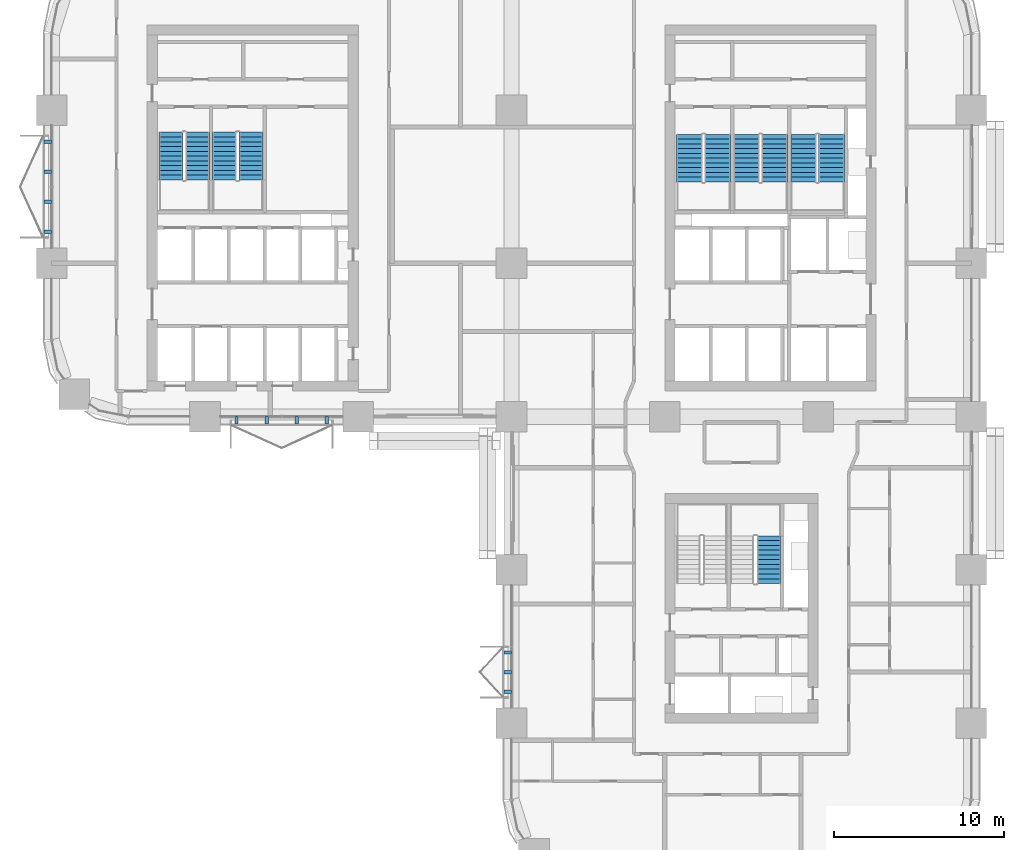
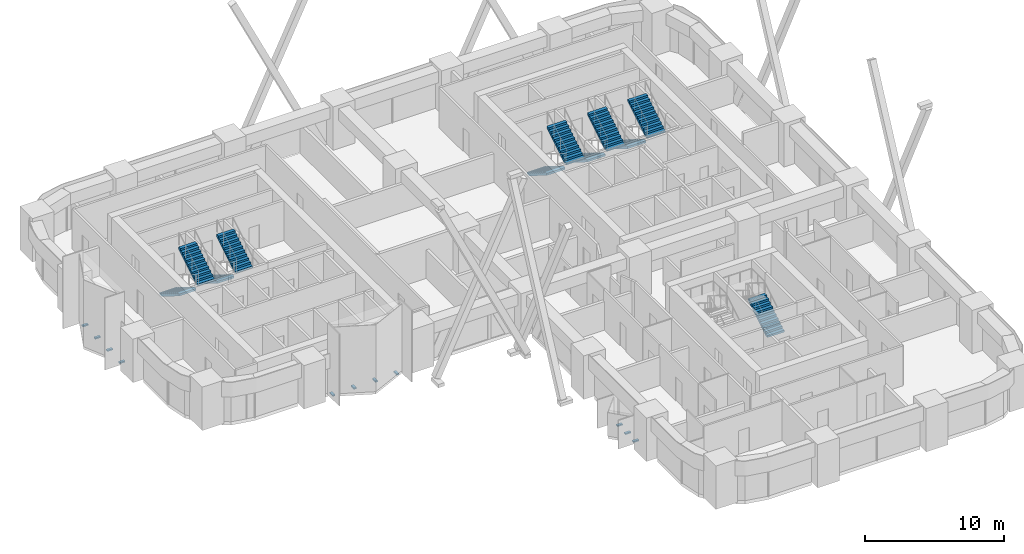
# One storey, part 17 of 19: 11 discrete accessories, 11 stair flights, 6 elements without a shape of their own.
"""IFC4 building model written with IfcOpenShell, lengths in metres."""

from ifc_helpers import new_model, si_unit, direction, frame, origin, origin_2d, place, context, subcontext, project, spatial, polyline, rectangle, outline, extrude, material, type_object, element, aggregate, save


model = new_model("IFC4")

# Units and contexts
model_context = context("Model", 3, precision=1e-05, world=origin(), true_north=direction((0.0, 1.0)))
body_context = subcontext(model_context, "Body", "Model", "MODEL_VIEW")
ifc_project = project(units=[si_unit("LENGTHUNIT", "METRE"), si_unit("AREAUNIT", "SQUARE_METRE"), si_unit("VOLUMEUNIT", "CUBIC_METRE"), si_unit("PLANEANGLEUNIT", "RADIAN"), si_unit("MASSUNIT", "GRAM", prefix="KILO")], contexts=[model_context])

# Site, building, storey
site_placement = place(None, origin())
site = spatial("IfcSite", under=ifc_project, at=site_placement, CompositionType="ELEMENT")
building_placement = place(site_placement, origin())
building = spatial("IfcBuilding", under=site, at=building_placement, Name="Tessera Arch", CompositionType="ELEMENT")
storey_placement = place(building_placement, frame((0.0, 0.0, 108.199951171875)))
storey = spatial("IfcBuildingStorey", under=building, at=storey_placement, Name="L25", CompositionType="ELEMENT", Elevation=108.199951171875)

# Stair, stair flights
ifc_material_1 = material(Name="Concrete C40/50", Category="concrete")
stair_type_1 = type_object("IfcStairType", Name="Dogleg stair 1400", PredefinedType="HALF_TURN_STAIR", material=ifc_material_1)
stair_1_placement = place(storey_placement, origin())
stair_1 = element("IfcStair", 1, at=stair_1_placement, inside=storey, type_object=stair_type_1, Name="L25 S2a", PredefinedType="HALF_TURN_STAIR")
ifc_material_2 = material(Name="Concrete C40/50", Category="concrete")
stair_flight_type_1 = type_object("IfcStairFlightType", Name="Stair flight 1400", PredefinedType="STRAIGHT", material=ifc_material_2)
stair_flight_1_placement = place(storey_placement, frame((7.0, 43.699951171875, 0.0), z_axis=(0.0, 0.0, 1.0), x_axis=(0.0, -1.0, 0.0)))
stair_flight_1 = element("IfcStairFlight", 2, at=stair_flight_1_placement, type_object=stair_flight_type_1, Name="S2a flight 1", NumberOfRisers=11, NumberOfTreads=10, PredefinedType="STRAIGHT", RiserHeight=0.172727273, TreadLength=0.28, context=body_context, shape_type="SweptSolid", body=[
    extrude(outline(polyline([(0.0, 0.0), (0.0, 0.172607421875), (0.280029296875, 0.172607421875), (0.280029296875, 0.345458984375), (0.56005859375, 0.345458984375), (0.56005859375, 0.51806640625), (0.840087890625, 0.51806640625), (0.840087890625, 0.69091796875), (1.1201171875, 0.69091796875), (1.1201171875, 0.863525390625), (1.39990234375, 0.863525390625), (1.39990234375, 1.036376953125), (1.679931640625, 1.036376953125), (1.679931640625, 1.208984375), (1.9599609375, 1.208984375), (1.9599609375, 1.3818359375), (2.239990234375, 1.3818359375), (2.239990234375, 1.554443359375), (2.52001953125, 1.554443359375), (2.52001953125, 1.727294921875), (2.800048828125, 1.727294921875), (2.800048828125, 1.89990234375), (2.800048828125, 1.551025390625), (0.285400390625, 0.0), (0.0, 0.0)])), frame((0.0, 0.699951171875, 0.0), z_axis=(0.0, -1.0, 0.0), x_axis=(1.0, 0.0, 0.0)), (0.0, 0.0, 1.0), 1.39990234375),
])
stair_flight_2_placement = place(storey_placement, frame((8.550048828125, 40.89990234375, 1.900146484375), z_axis=(0.0, 0.0, 1.0), x_axis=(0.0, 1.0, 0.0)))
stair_flight_2 = element("IfcStairFlight", 3, at=stair_flight_2_placement, type_object=stair_flight_type_1, Name="S2a flight 2", NumberOfRisers=11, NumberOfTreads=10, PredefinedType="STRAIGHT", RiserHeight=0.172727273, TreadLength=0.28, context=body_context, shape_type="SweptSolid", body=[
    extrude(outline(polyline([(0.0, 0.0), (0.0, 0.172607421875), (0.280029296875, 0.172607421875), (0.280029296875, 0.345458984375), (0.56005859375, 0.345458984375), (0.56005859375, 0.51806640625), (0.840087890625, 0.51806640625), (0.840087890625, 0.69091796875), (1.1201171875, 0.69091796875), (1.1201171875, 0.863525390625), (1.39990234375, 0.863525390625), (1.39990234375, 1.036376953125), (1.679931640625, 1.036376953125), (1.679931640625, 1.208984375), (1.9599609375, 1.208984375), (1.9599609375, 1.3818359375), (2.239990234375, 1.3818359375), (2.239990234375, 1.554443359375), (2.52001953125, 1.554443359375), (2.52001953125, 1.727294921875), (2.800048828125, 1.727294921875), (2.800048828125, 1.89990234375), (2.800048828125, 1.551025390625), (0.285400390625, 0.0), (0.0, 0.0)])), frame((0.0, 0.699951171875, 0.0), z_axis=(0.0, -1.0, 0.0), x_axis=(1.0, 0.0, 0.0)), (0.0, 0.0, 1.0), 1.39990234375),
])
aggregate(stair_1, [stair_flight_1, stair_flight_2])

stair_2_placement = place(storey_placement, origin())
stair_2 = element("IfcStair", 4, at=stair_2_placement, inside=storey, type_object=stair_type_1, Name="L25 S2b", PredefinedType="HALF_TURN_STAIR")
stair_flight_3_placement = place(storey_placement, frame((10.14990234375, 43.699951171875, 0.0), z_axis=(0.0, 0.0, 1.0), x_axis=(0.0, -1.0, 0.0)))
stair_flight_3 = element("IfcStairFlight", 5, at=stair_flight_3_placement, type_object=stair_flight_type_1, Name="S2b flight 1", NumberOfRisers=11, NumberOfTreads=10, PredefinedType="STRAIGHT", RiserHeight=0.172727273, TreadLength=0.28, context=body_context, shape_type="SweptSolid", body=[
    extrude(outline(polyline([(0.0, 0.0), (0.0, 0.172607421875), (0.280029296875, 0.172607421875), (0.280029296875, 0.345458984375), (0.56005859375, 0.345458984375), (0.56005859375, 0.51806640625), (0.840087890625, 0.51806640625), (0.840087890625, 0.69091796875), (1.1201171875, 0.69091796875), (1.1201171875, 0.863525390625), (1.39990234375, 0.863525390625), (1.39990234375, 1.036376953125), (1.679931640625, 1.036376953125), (1.679931640625, 1.208984375), (1.9599609375, 1.208984375), (1.9599609375, 1.3818359375), (2.239990234375, 1.3818359375), (2.239990234375, 1.554443359375), (2.52001953125, 1.554443359375), (2.52001953125, 1.727294921875), (2.800048828125, 1.727294921875), (2.800048828125, 1.89990234375), (2.800048828125, 1.551025390625), (0.285400390625, 0.0), (0.0, 0.0)])), frame((0.0, 0.699951171875, 0.0), z_axis=(0.0, -1.0, 0.0), x_axis=(1.0, 0.0, 0.0)), (0.0, 0.0, 1.0), 1.39990234375),
])
stair_flight_4_placement = place(storey_placement, frame((11.699951171875, 40.89990234375, 1.900146484375), z_axis=(0.0, 0.0, 1.0), x_axis=(0.0, 1.0, 0.0)))
stair_flight_4 = element("IfcStairFlight", 6, at=stair_flight_4_placement, type_object=stair_flight_type_1, Name="S2b flight 2", NumberOfRisers=11, NumberOfTreads=10, PredefinedType="STRAIGHT", RiserHeight=0.172727273, TreadLength=0.28, context=body_context, shape_type="SweptSolid", body=[
    extrude(outline(polyline([(0.0, 0.0), (0.0, 0.172607421875), (0.280029296875, 0.172607421875), (0.280029296875, 0.345458984375), (0.56005859375, 0.345458984375), (0.56005859375, 0.51806640625), (0.840087890625, 0.51806640625), (0.840087890625, 0.69091796875), (1.1201171875, 0.69091796875), (1.1201171875, 0.863525390625), (1.39990234375, 0.863525390625), (1.39990234375, 1.036376953125), (1.679931640625, 1.036376953125), (1.679931640625, 1.208984375), (1.9599609375, 1.208984375), (1.9599609375, 1.3818359375), (2.239990234375, 1.3818359375), (2.239990234375, 1.554443359375), (2.52001953125, 1.554443359375), (2.52001953125, 1.727294921875), (2.800048828125, 1.727294921875), (2.800048828125, 1.89990234375), (2.800048828125, 1.551025390625), (0.285400390625, 0.0), (0.0, 0.0)])), frame((0.0, 0.699951171875, 0.0), z_axis=(0.0, -1.0, 0.0), x_axis=(1.0, 0.0, 0.0)), (0.0, 0.0, 1.0), 1.39990234375),
])
aggregate(stair_2, [stair_flight_3, stair_flight_4])

# Stair, stair flight
stair_3_placement = place(storey_placement, origin())
stair_3 = element("IfcStair", 7, at=stair_3_placement, inside=storey, type_object=stair_type_1, Name="L25 S3b", PredefinedType="HALF_TURN_STAIR")
stair_flight_5_placement = place(storey_placement, frame((42.10009765625, 17.199951171875, 0.0), z_axis=(0.0, 0.0, 1.0), x_axis=(0.0, 1.0, 0.0)))
stair_flight_5 = element("IfcStairFlight", 8, at=stair_flight_5_placement, type_object=stair_flight_type_1, Name="S3b flight 1", NumberOfRisers=11, NumberOfTreads=10, PredefinedType="STRAIGHT", RiserHeight=0.172727273, TreadLength=0.28, context=body_context, shape_type="SweptSolid", body=[
    extrude(outline(polyline([(0.0, 0.0), (0.0, 0.172607421875), (0.280029296875, 0.172607421875), (0.280029296875, 0.345458984375), (0.56005859375, 0.345458984375), (0.56005859375, 0.51806640625), (0.840087890625, 0.51806640625), (0.840087890625, 0.69091796875), (1.1201171875, 0.69091796875), (1.1201171875, 0.863525390625), (1.39990234375, 0.863525390625), (1.39990234375, 1.036376953125), (1.679931640625, 1.036376953125), (1.679931640625, 1.208984375), (1.9599609375, 1.208984375), (1.9599609375, 1.3818359375), (2.239990234375, 1.3818359375), (2.239990234375, 1.554443359375), (2.52001953125, 1.554443359375), (2.52001953125, 1.727294921875), (2.800048828125, 1.727294921875), (2.800048828125, 1.89990234375), (2.800048828125, 1.551025390625), (0.285400390625, 0.0), (0.0, 0.0)])), frame((0.0, 0.699951171875, 0.0), z_axis=(0.0, -1.0, 0.0), x_axis=(1.0, 0.0, 0.0)), (0.0, 0.0, 1.0), 1.39990234375),
])
aggregate(stair_3, [stair_flight_5])

# Stair, stair flights
ifc_material_3 = material(Name="Concrete C40/50", Category="concrete")
stair_type_2 = type_object("IfcStairType", Name="Dogleg stair 1520", PredefinedType="HALF_TURN_STAIR", material=ifc_material_3)
stair_4_placement = place(storey_placement, origin())
stair_4 = element("IfcStair", 9, at=stair_4_placement, inside=storey, type_object=stair_type_2, Name="L25 S1a", PredefinedType="HALF_TURN_STAIR")
ifc_material_4 = material(Name="Concrete C40/50", Category="concrete")
stair_flight_type_2 = type_object("IfcStairFlightType", Name="Stair flight 1520", PredefinedType="STRAIGHT", material=ifc_material_4)
stair_flight_6_placement = place(storey_placement, frame((37.4599609375, 43.580078125, 0.0), z_axis=(0.0, 0.0, 1.0), x_axis=(0.0, -1.0, 0.0)))
stair_flight_6 = element("IfcStairFlight", 10, at=stair_flight_6_placement, type_object=stair_flight_type_2, Name="S1a flight 1", NumberOfRisers=11, NumberOfTreads=10, PredefinedType="STRAIGHT", RiserHeight=0.172727273, TreadLength=0.28, context=body_context, shape_type="SweptSolid", body=[
    extrude(outline(polyline([(0.0, 0.0), (0.0, 0.172607421875), (0.280029296875, 0.172607421875), (0.280029296875, 0.345458984375), (0.56005859375, 0.345458984375), (0.56005859375, 0.51806640625), (0.840087890625, 0.51806640625), (0.840087890625, 0.69091796875), (1.1201171875, 0.69091796875), (1.1201171875, 0.863525390625), (1.39990234375, 0.863525390625), (1.39990234375, 1.036376953125), (1.679931640625, 1.036376953125), (1.679931640625, 1.208984375), (1.9599609375, 1.208984375), (1.9599609375, 1.3818359375), (2.239990234375, 1.3818359375), (2.239990234375, 1.554443359375), (2.52001953125, 1.554443359375), (2.52001953125, 1.727294921875), (2.800048828125, 1.727294921875), (2.800048828125, 1.89990234375), (2.800048828125, 1.551025390625), (0.285400390625, 0.0), (0.0, 0.0)])), frame((0.0, 0.760009765625, 0.0), z_axis=(0.0, -1.0, 0.0), x_axis=(1.0, 0.0, 0.0)), (0.0, 0.0, 1.0), 1.52001953125),
])
stair_flight_7_placement = place(storey_placement, frame((39.090087890625, 40.780029296875, 1.900146484375), z_axis=(0.0, 0.0, 1.0), x_axis=(0.0, 1.0, 0.0)))
stair_flight_7 = element("IfcStairFlight", 11, at=stair_flight_7_placement, type_object=stair_flight_type_2, Name="S1a flight 2", NumberOfRisers=11, NumberOfTreads=10, PredefinedType="STRAIGHT", RiserHeight=0.172727273, TreadLength=0.28, context=body_context, shape_type="SweptSolid", body=[
    extrude(outline(polyline([(0.0, 0.0), (0.0, 0.172607421875), (0.280029296875, 0.172607421875), (0.280029296875, 0.345458984375), (0.56005859375, 0.345458984375), (0.56005859375, 0.51806640625), (0.840087890625, 0.51806640625), (0.840087890625, 0.69091796875), (1.1201171875, 0.69091796875), (1.1201171875, 0.863525390625), (1.39990234375, 0.863525390625), (1.39990234375, 1.036376953125), (1.679931640625, 1.036376953125), (1.679931640625, 1.208984375), (1.9599609375, 1.208984375), (1.9599609375, 1.3818359375), (2.239990234375, 1.3818359375), (2.239990234375, 1.554443359375), (2.52001953125, 1.554443359375), (2.52001953125, 1.727294921875), (2.800048828125, 1.727294921875), (2.800048828125, 1.89990234375), (2.800048828125, 1.551025390625), (0.285400390625, 0.0), (0.0, 0.0)])), frame((0.0, 0.760009765625, 0.0), z_axis=(0.0, -1.0, 0.0), x_axis=(1.0, 0.0, 0.0)), (0.0, 0.0, 1.0), 1.52001953125),
])
aggregate(stair_4, [stair_flight_6, stair_flight_7])

stair_5_placement = place(storey_placement, origin())
stair_5 = element("IfcStair", 12, at=stair_5_placement, inside=storey, type_object=stair_type_2, Name="L25 S1b", PredefinedType="HALF_TURN_STAIR")
stair_flight_8_placement = place(storey_placement, frame((40.81005859375, 43.580078125, 0.0), z_axis=(0.0, 0.0, 1.0), x_axis=(0.0, -1.0, 0.0)))
stair_flight_8 = element("IfcStairFlight", 13, at=stair_flight_8_placement, type_object=stair_flight_type_2, Name="S1b flight 1", NumberOfRisers=11, NumberOfTreads=10, PredefinedType="STRAIGHT", RiserHeight=0.172727273, TreadLength=0.28, context=body_context, shape_type="SweptSolid", body=[
    extrude(outline(polyline([(0.0, 0.0), (0.0, 0.172607421875), (0.280029296875, 0.172607421875), (0.280029296875, 0.345458984375), (0.56005859375, 0.345458984375), (0.56005859375, 0.51806640625), (0.840087890625, 0.51806640625), (0.840087890625, 0.69091796875), (1.1201171875, 0.69091796875), (1.1201171875, 0.863525390625), (1.39990234375, 0.863525390625), (1.39990234375, 1.036376953125), (1.679931640625, 1.036376953125), (1.679931640625, 1.208984375), (1.9599609375, 1.208984375), (1.9599609375, 1.3818359375), (2.239990234375, 1.3818359375), (2.239990234375, 1.554443359375), (2.52001953125, 1.554443359375), (2.52001953125, 1.727294921875), (2.800048828125, 1.727294921875), (2.800048828125, 1.89990234375), (2.800048828125, 1.551025390625), (0.285400390625, 0.0), (0.0, 0.0)])), frame((0.0, 0.760009765625, 0.0), z_axis=(0.0, -1.0, 0.0), x_axis=(1.0, 0.0, 0.0)), (0.0, 0.0, 1.0), 1.52001953125),
])
stair_flight_9_placement = place(storey_placement, frame((42.43994140625, 40.780029296875, 1.900146484375), z_axis=(0.0, 0.0, 1.0), x_axis=(0.0, 1.0, 0.0)))
stair_flight_9 = element("IfcStairFlight", 14, at=stair_flight_9_placement, type_object=stair_flight_type_2, Name="S1b flight 2", NumberOfRisers=11, NumberOfTreads=10, PredefinedType="STRAIGHT", RiserHeight=0.172727273, TreadLength=0.28, context=body_context, shape_type="SweptSolid", body=[
    extrude(outline(polyline([(0.0, 0.0), (0.0, 0.172607421875), (0.280029296875, 0.172607421875), (0.280029296875, 0.345458984375), (0.56005859375, 0.345458984375), (0.56005859375, 0.51806640625), (0.840087890625, 0.51806640625), (0.840087890625, 0.69091796875), (1.1201171875, 0.69091796875), (1.1201171875, 0.863525390625), (1.39990234375, 0.863525390625), (1.39990234375, 1.036376953125), (1.679931640625, 1.036376953125), (1.679931640625, 1.208984375), (1.9599609375, 1.208984375), (1.9599609375, 1.3818359375), (2.239990234375, 1.3818359375), (2.239990234375, 1.554443359375), (2.52001953125, 1.554443359375), (2.52001953125, 1.727294921875), (2.800048828125, 1.727294921875), (2.800048828125, 1.89990234375), (2.800048828125, 1.551025390625), (0.285400390625, 0.0), (0.0, 0.0)])), frame((0.0, 0.760009765625, 0.0), z_axis=(0.0, -1.0, 0.0), x_axis=(1.0, 0.0, 0.0)), (0.0, 0.0, 1.0), 1.52001953125),
])
aggregate(stair_5, [stair_flight_8, stair_flight_9])

stair_6_placement = place(storey_placement, origin())
stair_6 = element("IfcStair", 15, at=stair_6_placement, inside=storey, type_object=stair_type_2, Name="L25 S1c", PredefinedType="HALF_TURN_STAIR")
stair_flight_10_placement = place(storey_placement, frame((44.159912109375, 43.580078125, 0.0), z_axis=(0.0, 0.0, 1.0), x_axis=(0.0, -1.0, 0.0)))
stair_flight_10 = element("IfcStairFlight", 16, at=stair_flight_10_placement, type_object=stair_flight_type_2, Name="S1c flight 1", NumberOfRisers=11, NumberOfTreads=10, PredefinedType="STRAIGHT", RiserHeight=0.172727273, TreadLength=0.28, context=body_context, shape_type="SweptSolid", body=[
    extrude(outline(polyline([(0.0, 0.0), (0.0, 0.172607421875), (0.280029296875, 0.172607421875), (0.280029296875, 0.345458984375), (0.56005859375, 0.345458984375), (0.56005859375, 0.51806640625), (0.840087890625, 0.51806640625), (0.840087890625, 0.69091796875), (1.1201171875, 0.69091796875), (1.1201171875, 0.863525390625), (1.39990234375, 0.863525390625), (1.39990234375, 1.036376953125), (1.679931640625, 1.036376953125), (1.679931640625, 1.208984375), (1.9599609375, 1.208984375), (1.9599609375, 1.3818359375), (2.239990234375, 1.3818359375), (2.239990234375, 1.554443359375), (2.52001953125, 1.554443359375), (2.52001953125, 1.727294921875), (2.800048828125, 1.727294921875), (2.800048828125, 1.89990234375), (2.800048828125, 1.551025390625), (0.285400390625, 0.0), (0.0, 0.0)])), frame((0.0, 0.760009765625, 0.0), z_axis=(0.0, -1.0, 0.0), x_axis=(1.0, 0.0, 0.0)), (0.0, 0.0, 1.0), 1.52001953125),
])
stair_flight_11_placement = place(storey_placement, frame((45.7900390625, 40.780029296875, 1.900146484375), z_axis=(0.0, 0.0, 1.0), x_axis=(0.0, 1.0, 0.0)))
stair_flight_11 = element("IfcStairFlight", 17, at=stair_flight_11_placement, type_object=stair_flight_type_2, Name="S1c flight 2", NumberOfRisers=11, NumberOfTreads=10, PredefinedType="STRAIGHT", RiserHeight=0.172727273, TreadLength=0.28, context=body_context, shape_type="SweptSolid", body=[
    extrude(outline(polyline([(0.0, 0.0), (0.0, 0.172607421875), (0.280029296875, 0.172607421875), (0.280029296875, 0.345458984375), (0.56005859375, 0.345458984375), (0.56005859375, 0.51806640625), (0.840087890625, 0.51806640625), (0.840087890625, 0.69091796875), (1.1201171875, 0.69091796875), (1.1201171875, 0.863525390625), (1.39990234375, 0.863525390625), (1.39990234375, 1.036376953125), (1.679931640625, 1.036376953125), (1.679931640625, 1.208984375), (1.9599609375, 1.208984375), (1.9599609375, 1.3818359375), (2.239990234375, 1.3818359375), (2.239990234375, 1.554443359375), (2.52001953125, 1.554443359375), (2.52001953125, 1.727294921875), (2.800048828125, 1.727294921875), (2.800048828125, 1.89990234375), (2.800048828125, 1.551025390625), (0.285400390625, 0.0), (0.0, 0.0)])), frame((0.0, 0.760009765625, 0.0), z_axis=(0.0, -1.0, 0.0), x_axis=(1.0, 0.0, 0.0)), (0.0, 0.0, 1.0), 1.52001953125),
])
aggregate(stair_6, [stair_flight_10, stair_flight_11])

# Discrete accessories
for number, where, z_axis, x_axis, name in (
    (18, (-0.219970703125, 43.14990234375, -0.1201171875), (0.0, 0.0, 1.0), (-1.0, 0.0, 0.0), "Window box bracket"),
    (19, (-0.219970703125, 41.38330078125, -0.1201171875), (0.0, 0.0, 1.0), (-1.0, 0.0, 0.0), "Window box bracket"),
    (20, (-0.219970703125, 39.61669921875, -0.1201171875), (0.0, 0.0, 1.0), (-1.0, 0.0, 0.0), "Window box bracket"),
    (21, (-0.219970703125, 37.85009765625, -0.1201171875), (0.0, 0.0, 1.0), (-1.0, 0.0, 0.0), "Window box bracket"),
    (22, (10.85009765625, 26.780029296875, -0.1201171875), (0.0, 0.0, 1.0), (0.0, -1.0, 0.0), "Window box bracket"),
    (23, (12.61669921875, 26.780029296875, -0.1201171875), (0.0, 0.0, 1.0), (0.0, -1.0, 0.0), "Window box bracket"),
    (24, (14.38330078125, 26.780029296875, -0.1201171875), (0.0, 0.0, 1.0), (0.0, -1.0, 0.0), "Window box bracket"),
    (25, (16.14990234375, 26.780029296875, -0.1201171875), (0.0, 0.0, 1.0), (0.0, -1.0, 0.0), "Window box bracket"),
    (26, (26.780029296875, 13.14990234375, -0.1201171875), (0.0, 0.0, 1.0), (-1.0, 0.0, 0.0), "Window box bracket"),
    (27, (26.780029296875, 12.0, -0.1201171875), (0.0, 0.0, 1.0), (-1.0, 0.0, 0.0), "Window box bracket"),
    (28, (26.780029296875, 10.85009765625, -0.1201171875), (0.0, 0.0, 1.0), (-1.0, 0.0, 0.0), "Window box bracket"),
):
    element("IfcDiscreteAccessory", number, at=place(storey_placement, frame(where, z_axis=z_axis, x_axis=x_axis)), inside=storey, Name=name, PredefinedType="BRACKET", context=body_context, shape_type="SweptSolid", body=[
        extrude(rectangle(XDim=0.43994140625, YDim=0.199951171875, at=origin_2d()), origin(), (0.0, 0.0, 1.0), 0.1201171875),
    ])

save(model, "model.ifc")
